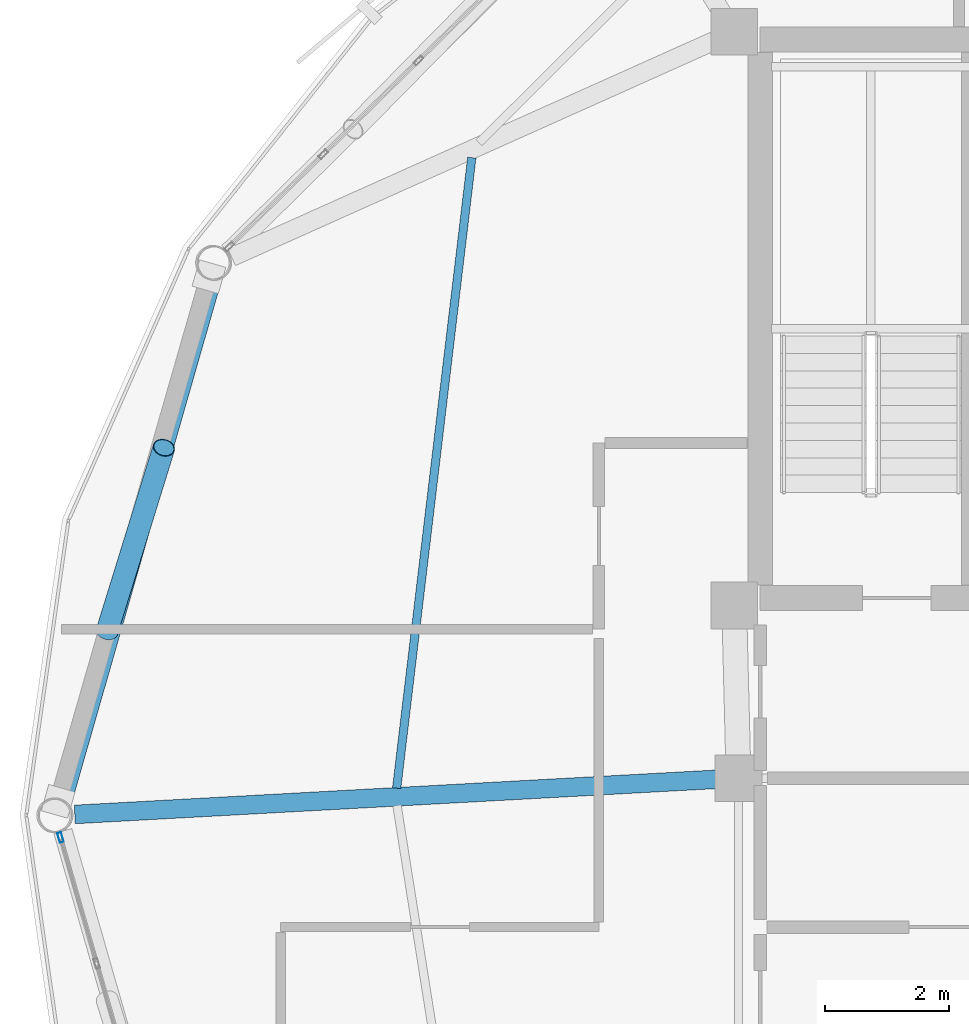
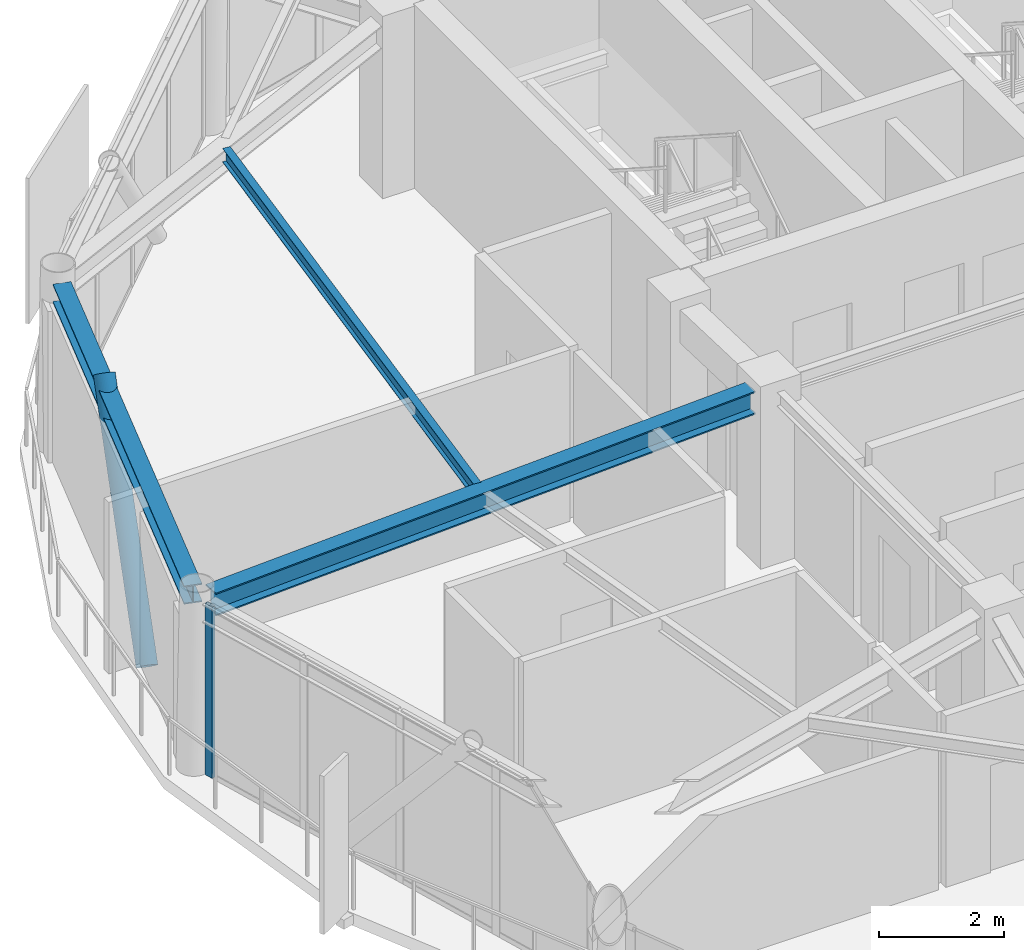
# One storey, part 11 of 27: 3 beams, 2 members, 1 element without a shape of its own.
"""IFC4 building model written with IfcOpenShell, lengths in metres."""

import ifcopenshell
import ifcopenshell.guid

model = None  # the IFC model being written
_history = None  # IfcOwnerHistory: only IFC2X3 demands one
_inside = {}  # id of a spatial element -> (the spatial element, [elements in it])
_under = {}  # id of a project, library or spatial element -> (it, [spatial elements below it])
_declared = {}  # id of a project -> (the project, [libraries it declares])
_typed = {}  # id of a type object -> (the type object, [elements of that type])
_made_of = {}  # id of a material, layer set ... -> (it, [elements and type objects made of it])


def new_model(schema):
    """Start an empty IFC model of exactly this schema.

    Asked for "IFC4X3", IfcOpenShell would pick the latest addendum, in which some entities
    have other attributes; the version numbers below select the first issue.
    IFC2X3 requires an IfcOwnerHistory on every rooted entity: one is made here for all.
    """
    global model, _history
    if schema == "IFC4X3":
        model = ifcopenshell.file(schema_version=(4, 3, 0, 0))
    else:
        model = ifcopenshell.file(schema=schema)
    _inside.clear()
    _under.clear()
    _declared.clear()
    _typed.clear()
    _made_of.clear()
    _history = None
    if model.schema == "IFC2X3":
        org = make("IfcOrganization", Name="unknown")
        user = make(
            "IfcPersonAndOrganization",
            ThePerson=make("IfcPerson", FamilyName="unknown"),
            TheOrganization=org,
        )
        app = make(
            "IfcApplication",
            ApplicationDeveloper=org,
            Version="unknown",
            ApplicationFullName="unknown",
            ApplicationIdentifier="unknown",
        )
        _history = make(
            "IfcOwnerHistory",
            OwningUser=user,
            OwningApplication=app,
            ChangeAction="ADDED",
            CreationDate=0,
        )
    return model


def make(cls, **values):
    """One entity of the class cls with the attributes given. An attribute that is None is left unset."""
    return model.create_entity(
        cls, **{name: value for name, value in values.items() if value is not None}
    )


def rooted(cls, **values):
    """An entity with a GlobalId (a new one), such as an element, a storey or a relation."""
    return make(cls, GlobalId=ifcopenshell.guid.new(), OwnerHistory=_history, **values)


def si_unit(unit_type, name, prefix=None):
    """IfcSIUnit, for example si_unit("LENGTHUNIT", "METRE", prefix="MILLI")."""
    return make("IfcSIUnit", UnitType=unit_type, Prefix=prefix, Name=name)


def assignment(units):
    """IfcUnitAssignment: the units of a project."""
    return None if units is None else make("IfcUnitAssignment", Units=units)


def point(xyz):
    """IfcCartesianPoint."""
    return None if xyz is None else make("IfcCartesianPoint", Coordinates=xyz)


def direction(xyz):
    """IfcDirection."""
    return None if xyz is None else make("IfcDirection", DirectionRatios=xyz)


def frame(location, z_axis=None, x_axis=None):
    """IfcAxis2Placement3D, a coordinate frame: its origin and axes. An axis left out is left unset."""
    return make(
        "IfcAxis2Placement3D",
        Location=point(location),
        Axis=direction(z_axis),
        RefDirection=direction(x_axis),
    )


def frame_2d(location, x_axis=None):
    """IfcAxis2Placement2D, a coordinate frame in the plane: its origin and x axis."""
    return make(
        "IfcAxis2Placement2D", Location=point(location), RefDirection=direction(x_axis)
    )


def origin():
    """The frame at (0, 0, 0) with its axes left unset."""
    return frame((0.0, 0.0, 0.0))


def origin_2d():
    """The frame at (0, 0) in the plane with its x axis left unset."""
    return frame_2d((0.0, 0.0))


def place(relative_to, where):
    """IfcLocalPlacement: puts the frame where relative to a parent placement (None: the world)."""
    return make(
        "IfcLocalPlacement", PlacementRelTo=relative_to, RelativePlacement=where
    )


def context(
    kind, dimensions, precision=None, world=None, true_north=None, identifier=None
):
    """IfcGeometricRepresentationContext, for example the 3D "Model" context."""
    return make(
        "IfcGeometricRepresentationContext",
        ContextIdentifier=identifier,
        ContextType=kind,
        CoordinateSpaceDimension=dimensions,
        Precision=precision,
        WorldCoordinateSystem=world,
        TrueNorth=true_north,
    )


def subcontext(parent, identifier, kind, view, scale=None):
    """IfcGeometricRepresentationSubContext, for example "Body" below "Model"."""
    return make(
        "IfcGeometricRepresentationSubContext",
        ContextIdentifier=identifier,
        ContextType=kind,
        ParentContext=parent,
        TargetScale=scale,
        TargetView=view,
    )


def project(units=None, contexts=None):
    """IfcProject with its units and contexts."""
    return rooted(
        "IfcProject",
        Name="project",
        RepresentationContexts=contexts,
        UnitsInContext=assignment(units),
    )


def spatial(cls, under=None, at=None, **own):
    """A site, building, storey or space (cls), placed at a placement, below another one or the project."""
    s = rooted(cls, ObjectPlacement=at, **own)
    if under is not None:
        _under.setdefault(under.id(), (under, []))[1].append(s)
    return s


def profile(cls, at=None, kind="AREA", **sizes):
    """A parametric profile (cls). Its sizes go by their IFC names, for example OverallWidth=200.0."""
    return make(cls, ProfileType=kind, Position=at, **sizes)


def hollow_rectangle(**sizes):
    """IfcRectangleHollowProfileDef."""
    return profile("IfcRectangleHollowProfileDef", **sizes)


def hollow_circle(**sizes):
    """IfcCircleHollowProfileDef."""
    return profile("IfcCircleHollowProfileDef", **sizes)


def i_section(**sizes):
    """IfcIShapeProfileDef."""
    return profile("IfcIShapeProfileDef", **sizes)


def extrude(swept, where, along, depth):
    """IfcExtrudedAreaSolid: the profile swept, set in the frame where, extruded along a direction by depth."""
    return make(
        "IfcExtrudedAreaSolid",
        SweptArea=swept,
        Position=where,
        ExtrudedDirection=direction(along),
        Depth=depth,
    )


def shape(context_of_items, identifier, shape_type, items):
    """IfcShapeRepresentation: the items that make up one representation, for example the "Body"."""
    return make(
        "IfcShapeRepresentation",
        ContextOfItems=context_of_items,
        RepresentationIdentifier=identifier,
        RepresentationType=shape_type,
        Items=items,
    )


def material(Name=None, Category=None):
    """IfcMaterial."""
    return make("IfcMaterial", Name=Name, Category=Category)


def layer(
    of_material, thickness, ventilated=None, Name=None, Category=None, Priority=None
):
    """IfcMaterialLayer: one layer of a wall or slab, of a material (None: an air gap)."""
    return make(
        "IfcMaterialLayer",
        Material=of_material,
        LayerThickness=thickness,
        IsVentilated=ventilated,
        Name=Name,
        Category=Category,
        Priority=Priority,
    )


def layer_set(layers, Name=None):
    """IfcMaterialLayerSet."""
    return make("IfcMaterialLayerSet", MaterialLayers=layers, LayerSetName=Name)


def material_profile(
    of_material, cross_section, Name=None, Category=None, Priority=None
):
    """IfcMaterialProfile: a cross section and its material."""
    return make(
        "IfcMaterialProfile",
        Name=Name,
        Material=of_material,
        Profile=cross_section,
        Priority=Priority,
        Category=Category,
    )


def profile_set(profiles, Name=None, composite=None):
    """IfcMaterialProfileSet."""
    return make(
        "IfcMaterialProfileSet",
        Name=Name,
        MaterialProfiles=profiles,
        CompositeProfile=composite,
    )


def made_of(thing, what):
    """Note that an element or type object is made of a material, layer set ...; save() writes the relation."""
    if what is not None:
        _made_of.setdefault(what.id(), (what, []))[1].append(thing)
    return thing


def type_object(cls, material=None, **own):
    """A type object (cls), such as IfcWallType, which elements share."""
    return made_of(rooted(cls, **own), material)


def element(
    cls,
    number,
    at=None,
    inside=None,
    cuts=None,
    type_object=None,
    material=None,
    context=None,
    identifier="Body",
    shape_type=None,
    held_by="IfcProductDefinitionShape",
    body=None,
    shapes=None,
    **own,
):
    """One element of the class cls, such as IfcWall. Its Tag is "e" and its number.

    at: its placement. inside: the storey or other place that contains it. cuts: it is an
    opening in that element (IfcRelVoidsElement). A single representation is given by context,
    identifier, shape_type and body (its items); several are given by shapes. held_by: the class
    of the entity that holds the representations. save() writes the other relations.
    """
    e = rooted(cls, Tag="e%d" % number, ObjectPlacement=at, **own)
    if body is not None:
        shapes = [shape(context, identifier, shape_type, body)]
    if shapes is not None:
        e.Representation = make(held_by, Representations=shapes)
    if inside is not None:
        _inside.setdefault(inside.id(), (inside, []))[1].append(e)
    if cuts is not None:
        rooted(
            "IfcRelVoidsElement", RelatingBuildingElement=cuts, RelatedOpeningElement=e
        )
    if type_object is not None:
        _typed.setdefault(type_object.id(), (type_object, []))[1].append(e)
    return made_of(e, material)


def aggregate(whole, parts):
    """IfcRelAggregates: a whole, such as a stair, and the parts it consists of."""
    return rooted("IfcRelAggregates", RelatingObject=whole, RelatedObjects=parts)


def save(model, path):
    """Write the relations noted so far, then the file.

    IfcRelAggregates (storeys below a building ...), IfcRelContainedInSpatialStructure (elements
    in a storey), IfcRelDefinesByType, IfcRelAssociatesMaterial and IfcRelDeclares: one each for
    every whole, place, type object, material and project.
    """
    for whole, parts in _under.values():
        aggregate(whole, parts)
    for where, things in _inside.values():
        rooted(
            "IfcRelContainedInSpatialStructure",
            RelatedElements=things,
            RelatingStructure=where,
        )
    for kind, things in _typed.values():
        rooted("IfcRelDefinesByType", RelatedObjects=things, RelatingType=kind)
    for what, things in _made_of.values():
        rooted("IfcRelAssociatesMaterial", RelatedObjects=things, RelatingMaterial=what)
    for by, libraries in _declared.values():
        rooted("IfcRelDeclares", RelatingContext=by, RelatedDefinitions=libraries)
    model.write(path)


model = new_model("IFC4")

# Units and contexts
model_context = context("Model", 3, precision=1e-05, world=origin(), true_north=direction((0.0, 1.0)))
body_context = subcontext(model_context, "Body", "Model", "MODEL_VIEW")
ifc_project = project(units=[si_unit("LENGTHUNIT", "METRE"), si_unit("AREAUNIT", "SQUARE_METRE"), si_unit("VOLUMEUNIT", "CUBIC_METRE"), si_unit("PLANEANGLEUNIT", "RADIAN"), si_unit("MASSUNIT", "GRAM", prefix="KILO")], contexts=[model_context])

# Site, building, storey
site_placement = place(None, origin())
site = spatial("IfcSite", under=ifc_project, at=site_placement, CompositionType="ELEMENT")
building_placement = place(site_placement, origin())
building = spatial("IfcBuilding", under=site, at=building_placement, Name="Varnakorn Sky Granary", CompositionType="ELEMENT")
storey_placement = place(building_placement, frame((0.0, 0.0, 263.39990234375)))
storey = spatial("IfcBuildingStorey", under=building, at=storey_placement, Name="L67", CompositionType="ELEMENT", Elevation=263.39990234375)

# Beams
ifc_material_1 = material(Name="Steel S355JR", Category="steel")
ifc_material_profile_1 = material_profile(ifc_material_1, i_section(OverallWidth=0.300048828125, OverallDepth=0.449951171875, WebThickness=0.013916015625, FlangeThickness=0.02587890625, at=origin_2d()), Name="HE 450 B")
ifc_profile_set_1 = profile_set([ifc_material_profile_1], Name="Steel S355JR")
beam_type_1 = type_object("IfcBeamType", Name="BM-RAD-Z5", PredefinedType="BEAM", material=ifc_profile_set_1)
beam_1_placement = place(storey_placement, frame((-2.70458984375, 0.58056640625, 3.135009765625), z_axis=(-0.998503581445, -0.054686358825, 0.0), x_axis=(0.054686358825, -0.998503581445, 0.0)))
element("IfcBeam", 1, at=beam_1_placement, inside=storey, type_object=beam_type_1, Name="Radial Floor Girder RG07 L67", PredefinedType="BEAM", context=body_context, shape_type="SweptSolid", body=[
    extrude(i_section(OverallWidth=0.300048828125, OverallDepth=0.449951171875, WebThickness=0.013916015625, FlangeThickness=0.02587890625, at=origin_2d()), origin(), (0.0, 0.0, 1.0), 10.352783203125),
])
ifc_material_profile_2 = material_profile(ifc_material_1, i_section(OverallWidth=0.135009765625, OverallDepth=0.27001953125, WebThickness=0.006591796875, FlangeThickness=0.01025390625, at=origin_2d()), Name="IPE 270")
ifc_profile_set_2 = profile_set([ifc_material_profile_2], Name="Steel S355JR")
beam_type_2 = type_object("IfcBeamType", Name="BM-SEC-Z5", PredefinedType="BEAM", material=ifc_profile_set_2)
beam_2_placement = place(storey_placement, frame((-6.646240234375, 10.594482421875, 3.22509765625), z_axis=(-0.118325506778, -0.992974860933, 0.0), x_axis=(0.992974860933, -0.118325506778, 0.0)))
element("IfcBeam", 2, at=beam_2_placement, inside=storey, type_object=beam_type_2, Name="Secondary Floor Chord Beam MSB06 L67", PredefinedType="BEAM", context=body_context, shape_type="SweptSolid", body=[
    extrude(i_section(OverallWidth=0.135009765625, OverallDepth=0.27001953125, WebThickness=0.006591796875, FlangeThickness=0.01025390625, at=origin_2d()), origin(), (0.0, 0.0, 1.0), 10.229736328125),
])
ifc_material_profile_3 = material_profile(ifc_material_1, i_section(OverallWidth=0.300048828125, OverallDepth=0.360107421875, WebThickness=0.012451171875, FlangeThickness=0.0224609375, at=origin_2d()), Name="HE 360 B")
ifc_profile_set_3 = profile_set([ifc_material_profile_3], Name="Steel S355JR")
beam_type_3 = type_object("IfcBeamType", Name="BM-SPD-Z5", PredefinedType="SPANDREL", material=ifc_profile_set_3)
beam_3_placement = place(storey_placement, frame((-10.82958984375, 8.6298828125, 3.18017578125), z_axis=(-0.275808895098, -0.961212491276, 0.0), x_axis=(0.961212491276, -0.275808895098, 0.0)))
element("IfcBeam", 3, at=beam_3_placement, inside=storey, type_object=beam_type_3, Name="Perimeter Spandrel Ring Beam RB06 L67", PredefinedType="SPANDREL", context=body_context, shape_type="SweptSolid", body=[
    extrude(i_section(OverallWidth=0.300048828125, OverallDepth=0.360107421875, WebThickness=0.012451171875, FlangeThickness=0.0224609375, at=origin_2d()), origin(), (0.0, 0.0, 1.0), 8.713623046875),
])

# Curtain wall, member
ifc_material_2 = material(Name="Anodised Bronze Aluminium Alloy 6063-T6", Category="aluminium")
ifc_layer = layer(ifc_material_2, 0.159912109375, Name="Anodised Bronze Aluminium Alloy 6063-T6")
ifc_layer_set = layer_set([ifc_layer], Name="Anodised Bronze Aluminium Alloy 6063-T6")
curtain_wall_type = type_object("IfcCurtainWallType", Name="CW-OFF-1", PredefinedType="USERDEFINED", material=ifc_layer_set)
curtain_wall_placement = place(storey_placement, origin())
curtain_wall = element("IfcCurtainWall", 4, at=curtain_wall_placement, inside=storey, type_object=curtain_wall_type, Name="Unitised Curtain Wall CW6 CW-L67-B07", ObjectType="CURTAIN WALL", PredefinedType="USERDEFINED")
ifc_material_profile_4 = material_profile(ifc_material_2, hollow_rectangle(XDim=0.06494140625, YDim=0.159912109375, WallThickness=0.00341796875, at=origin_2d()), Name="ALU MULL 65x160")
ifc_profile_set_4 = profile_set([ifc_material_profile_4], Name="Anodised Bronze Aluminium Alloy 6063-T6")
member_type_1 = type_object("IfcMemberType", Name="CW-OFF-1-MULL", PredefinedType="MULLION", material=ifc_profile_set_4)
member_1_placement = place(storey_placement, frame((-13.271240234375, -0.357421875, 0.0), z_axis=(0.0, 0.0, 1.0), x_axis=(-0.961085237133, -0.276251999026, 0.0)))
member_1 = element("IfcMember", 5, at=member_1_placement, type_object=member_type_1, Name="CW6 mullion 5", PredefinedType="MULLION", context=body_context, shape_type="SweptSolid", body=[
    extrude(hollow_rectangle(XDim=0.06494140625, YDim=0.159912109375, WallThickness=0.00341796875, at=origin_2d()), origin(), (0.0, 0.0, 1.0), 3.360107421875),
])
aggregate(curtain_wall, [member_1])

# Member
ifc_material_3 = material(Name="Steel S460M", Category="steel")
ifc_material_profile_5 = material_profile(ifc_material_3, hollow_circle(Radius=0.177734375, WallThickness=0.01416015625, at=origin_2d()), Name="CHS 355.6x14")
ifc_profile_set_5 = profile_set([ifc_material_profile_5], Name="Steel S460M")
member_type_2 = type_object("IfcMemberType", Name="MB-DIAG-T5", PredefinedType="BRACE", material=ifc_profile_set_5)
member_2_placement = place(storey_placement, frame((-12.521240234375, 2.967041015625, -0.1298828125), z_axis=(0.192107075732, 0.62066940454, 0.760173902289), x_axis=(-0.955288013448, 0.295676869849, 0.0)))
element("IfcMember", 6, at=member_2_placement, inside=storey, type_object=member_type_2, Name="Perimeter CHS Diagrid Brace DG06 L67", PredefinedType="BRACE", context=body_context, shape_type="SweptSolid", body=[
    extrude(hollow_circle(Radius=0.177734375, WallThickness=0.01416015625, at=origin_2d()), origin(), (0.0, 0.0, 1.0), 4.761962890625),
])

save(model, "model.ifc")
